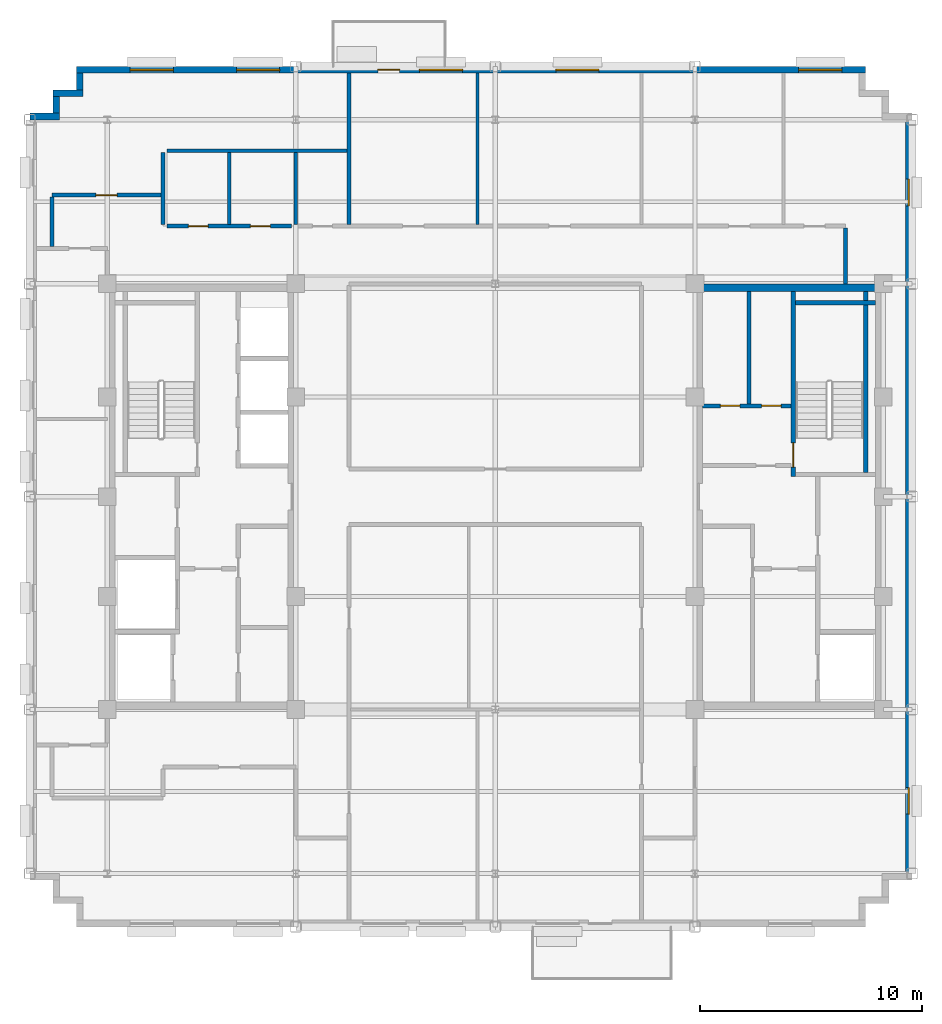
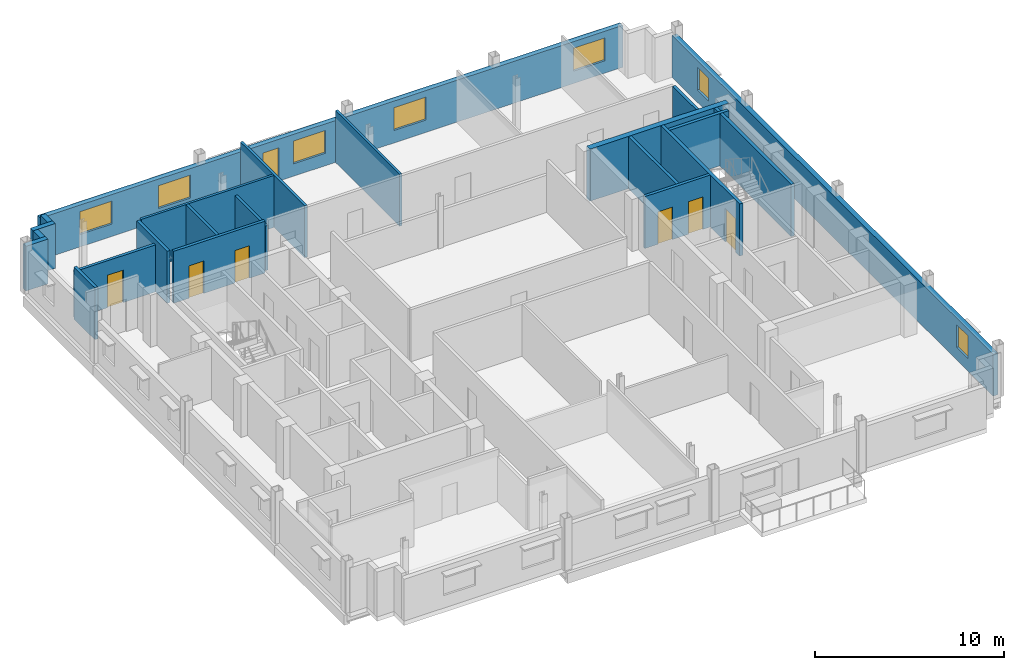
# One storey, part 8 of 13: 22 walls, 7 doors, 7 windows, 14 openings.
"""IFC4 building model written with IfcOpenShell, lengths in metres."""

from ifc_helpers import new_model, si_unit, direction, frame, frame_2d, origin, place, context, subcontext, project, spatial, rectangle, extrude, source, transform, mapped, material, layer, layer_set, type_object, type_shapes, element, fill, save


model = new_model("IFC4")

# Units and contexts
model_context = context("Model", 3, precision=1e-05, world=origin(), true_north=direction((0.0, 1.0)))
body_context = subcontext(model_context, "Body", "Model", "MODEL_VIEW")
ifc_project = project(units=[si_unit("LENGTHUNIT", "METRE"), si_unit("AREAUNIT", "SQUARE_METRE"), si_unit("VOLUMEUNIT", "CUBIC_METRE"), si_unit("PLANEANGLEUNIT", "RADIAN"), si_unit("MASSUNIT", "GRAM", prefix="KILO")], contexts=[model_context])

# Site, building, storey
site_placement = place(None, origin())
site = spatial("IfcSite", under=ifc_project, at=site_placement, CompositionType="ELEMENT")
building_placement = place(site_placement, origin())
building = spatial("IfcBuilding", under=site, at=building_placement, Name="Nuvemarco Arch Tower", CompositionType="ELEMENT")
storey_placement = place(building_placement, frame((0.0, 0.0, 265.25)))
storey = spatial("IfcBuildingStorey", under=building, at=storey_placement, Name="L70", CompositionType="ELEMENT", Elevation=265.25)

# Wall, openings, windows
ifc_material_1 = material(Name="Precast concrete C45/55", Category="concrete")
ifc_layer_1 = layer(ifc_material_1, 0.300048828125, Name="EW-HIGH-300")
ifc_layer_set_1 = layer_set([ifc_layer_1], Name="Precast concrete C45/55")
wall_type_1 = type_object("IfcWallType", Name="EW-HIGH-300", PredefinedType="STANDARD", material=ifc_layer_set_1)
wall_1_placement = place(storey_placement, frame((18.64990234375, -17.00390625, 0.0), z_axis=(0.0, 0.0, 1.0), x_axis=(0.0, 1.0, 0.0)))
wall_1 = element("IfcWall", 1, at=wall_1_placement, inside=storey, type_object=wall_type_1, Name="L70 exterior precast facade wall 6", PredefinedType="STANDARD", context=body_context, shape_type="SweptSolid", body=[
    extrude(rectangle(XDim=34.0078125, YDim=0.300048828125, at=frame_2d((17.00390625, 0.0))), origin(), (0.0, 0.0, 1.0), 2.705078125),
])
opening_1_placement = place(wall_1_placement, frame((2.686279296875, 0.0, 0.800048828125)))
opening_1 = element("IfcOpeningElement", 2, at=opening_1_placement, cuts=wall_1, Name="Opening WN-8", PredefinedType="OPENING", context=body_context, shape_type="SweptSolid", body=[
    extrude(rectangle(XDim=1.199951171875, YDim=1.47998046875, at=frame_2d((0.60009765625, 0.739990234375))), frame((0.0, 0.159912109375, 0.0), z_axis=(0.0, -1.0, 0.0), x_axis=(1.0, 0.0, 0.0)), (0.0, 0.0, 1.0), 0.320068359375),
])
opening_2_placement = place(wall_1_placement, frame((30.12158203125, 0.0, 0.800048828125)))
opening_2 = element("IfcOpeningElement", 3, at=opening_2_placement, cuts=wall_1, Name="Opening WN-8", PredefinedType="OPENING", context=body_context, shape_type="SweptSolid", body=[
    extrude(rectangle(XDim=1.199951171875, YDim=1.47998046875, at=frame_2d((0.60009765625, 0.739990234375))), frame((0.0, 0.159912109375, 0.0), z_axis=(0.0, -1.0, 0.0), x_axis=(1.0, 0.0, 0.0)), (0.0, 0.0, 1.0), 0.320068359375),
])
ifc_material_2 = material(Name="Insulated solar-control glass", Category="glass")
window_type_1 = type_object("IfcWindowType", Name="WN-HIGH-1200x1480", PartitioningType="SINGLE_PANEL", PredefinedType="WINDOW", material=ifc_material_2)
shared_shape_1 = source(origin(), body_context, "Body", "SweptSolid", [
    extrude(rectangle(XDim=1.199951171875, YDim=1.47998046875, at=frame_2d((0.60009765625, 0.739990234375))), frame((0.0, 0.030029296875, 0.0), z_axis=(0.0, -1.0, 0.0), x_axis=(1.0, 0.0, 0.0)), (0.0, 0.0, 1.0), 0.06005859375),
])
type_shapes(window_type_1, [shared_shape_1])
window_1_placement = place(opening_1_placement, origin())
window_1 = element("IfcWindow", 4, at=window_1_placement, inside=storey, type_object=window_type_1, Name="L70 punched facade window 1", OverallHeight=1.47998046875, OverallWidth=1.199951171875, PartitioningType="SINGLE_PANEL", PredefinedType="WINDOW", context=body_context, shape_type="MappedRepresentation", body=[
    mapped(shared_shape_1, transform((0.0, 0.0, 0.0), scale=1.0)),
])
fill(opening_1, window_1)
window_2_placement = place(opening_2_placement, origin())
window_2 = element("IfcWindow", 5, at=window_2_placement, inside=storey, type_object=window_type_1, Name="L70 punched facade window 7", OverallHeight=1.47998046875, OverallWidth=1.199951171875, PartitioningType="SINGLE_PANEL", PredefinedType="WINDOW", context=body_context, shape_type="MappedRepresentation", body=[
    mapped(shared_shape_1, transform((0.0, 0.0, 0.0), scale=1.0)),
])
fill(opening_2, window_2)

# Wall, openings, door, windows
wall_2_placement = place(storey_placement, frame((-18.89990234375, 19.25, 0.0), z_axis=(0.0, 0.0, 1.0), x_axis=(1.0, 0.0, 0.0)))
wall_2 = element("IfcWall", 6, at=wall_2_placement, inside=storey, type_object=wall_type_1, Name="L70 exterior precast facade wall 11", PredefinedType="STANDARD", context=body_context, shape_type="SweptSolid", body=[
    extrude(rectangle(XDim=35.599853515625, YDim=0.300048828125, at=frame_2d((17.7998046875, 0.0))), origin(), (0.0, 0.0, 1.0), 2.705078125),
])
opening_3_placement = place(wall_2_placement, frame((13.60009765625, 0.0, 0.0)))
opening_3 = element("IfcOpeningElement", 7, at=opening_3_placement, cuts=wall_2, Name="Opening ED-6", PredefinedType="OPENING", context=body_context, shape_type="SweptSolid", body=[
    extrude(rectangle(XDim=0.97998046875, YDim=2.14990234375, at=frame_2d((0.489990234375, 1.074951171875))), frame((0.0, 0.159912109375, 0.0), z_axis=(0.0, -1.0, 0.0), x_axis=(1.0, 0.0, 0.0)), (0.0, 0.0, 1.0), 0.320068359375),
])
opening_4_placement = place(wall_2_placement, frame((2.425048828125, 0.0, 0.800048828125)))
opening_4 = element("IfcOpeningElement", 8, at=opening_4_placement, cuts=wall_2, Name="Opening WN-7", PredefinedType="OPENING", context=body_context, shape_type="SweptSolid", body=[
    extrude(rectangle(XDim=1.949951171875, YDim=1.47998046875, at=frame_2d((0.97509765625, 0.739990234375))), frame((0.0, 0.159912109375, 0.0), z_axis=(0.0, -1.0, 0.0), x_axis=(1.0, 0.0, 0.0)), (0.0, 0.0, 1.0), 0.320068359375),
])
opening_5_placement = place(wall_2_placement, frame((7.22509765625, 0.0, 0.800048828125)))
opening_5 = element("IfcOpeningElement", 9, at=opening_5_placement, cuts=wall_2, Name="Opening WN-7", PredefinedType="OPENING", context=body_context, shape_type="SweptSolid", body=[
    extrude(rectangle(XDim=1.949951171875, YDim=1.47998046875, at=frame_2d((0.97509765625, 0.739990234375))), frame((0.0, 0.159912109375, 0.0), z_axis=(0.0, -1.0, 0.0), x_axis=(1.0, 0.0, 0.0)), (0.0, 0.0, 1.0), 0.320068359375),
])
opening_6_placement = place(wall_2_placement, frame((15.47509765625, 0.0, 0.800048828125)))
opening_6 = element("IfcOpeningElement", 10, at=opening_6_placement, cuts=wall_2, Name="Opening WN-7", PredefinedType="OPENING", context=body_context, shape_type="SweptSolid", body=[
    extrude(rectangle(XDim=1.949951171875, YDim=1.47998046875, at=frame_2d((0.97509765625, 0.739990234375))), frame((0.0, 0.159912109375, 0.0), z_axis=(0.0, -1.0, 0.0), x_axis=(1.0, 0.0, 0.0)), (0.0, 0.0, 1.0), 0.320068359375),
])
opening_7_placement = place(wall_2_placement, frame((21.625, 0.0, 0.800048828125)))
opening_7 = element("IfcOpeningElement", 11, at=opening_7_placement, cuts=wall_2, Name="Opening WN-7", PredefinedType="OPENING", context=body_context, shape_type="SweptSolid", body=[
    extrude(rectangle(XDim=1.949951171875, YDim=1.47998046875, at=frame_2d((0.97509765625, 0.739990234375))), frame((0.0, 0.159912109375, 0.0), z_axis=(0.0, -1.0, 0.0), x_axis=(1.0, 0.0, 0.0)), (0.0, 0.0, 1.0), 0.320068359375),
])
opening_8_placement = place(wall_2_placement, frame((32.574951171875, 0.0, 0.800048828125)))
opening_8 = element("IfcOpeningElement", 12, at=opening_8_placement, cuts=wall_2, Name="Opening WN-7", PredefinedType="OPENING", context=body_context, shape_type="SweptSolid", body=[
    extrude(rectangle(XDim=1.949951171875, YDim=1.47998046875, at=frame_2d((0.97509765625, 0.739990234375))), frame((0.0, 0.159912109375, 0.0), z_axis=(0.0, -1.0, 0.0), x_axis=(1.0, 0.0, 0.0)), (0.0, 0.0, 1.0), 0.320068359375),
])
ifc_material_3 = material(Name="Anodised bronze and laminated glass", Category="glass")
door_type_1 = type_object("IfcDoorType", Name="DR-EXT-BALC", OperationType="NOTDEFINED", PredefinedType="DOOR", material=ifc_material_3)
shared_shape_2 = source(origin(), body_context, "Body", "SweptSolid", [
    extrude(rectangle(XDim=0.97998046875, YDim=2.14990234375, at=frame_2d((0.489990234375, 1.074951171875))), frame((0.0, 0.02490234375, 0.0), z_axis=(0.0, -1.0, 0.0), x_axis=(1.0, 0.0, 0.0)), (0.0, 0.0, 1.0), 0.050048828125),
])
type_shapes(door_type_1, [shared_shape_2])
door_1_placement = place(opening_3_placement, origin())
door_1 = element("IfcDoor", 13, at=door_1_placement, inside=storey, type_object=door_type_1, Name="L70 tree balcony access door", OperationType="SINGLE_SWING_LEFT", OverallHeight=2.14990234375, OverallWidth=0.97998046875, PredefinedType="DOOR", context=body_context, shape_type="MappedRepresentation", body=[
    mapped(shared_shape_2, transform((0.0, 0.0, 0.0), scale=1.0)),
])
fill(opening_3, door_1)
window_type_2 = type_object("IfcWindowType", Name="WN-HIGH-1950x1480", PartitioningType="DOUBLE_PANEL_VERTICAL", PredefinedType="WINDOW", material=ifc_material_2)
shared_shape_3 = source(origin(), body_context, "Body", "SweptSolid", [
    extrude(rectangle(XDim=1.949951171875, YDim=1.47998046875, at=frame_2d((0.97509765625, 0.739990234375))), frame((0.0, 0.030029296875, 0.0), z_axis=(0.0, -1.0, 0.0), x_axis=(1.0, 0.0, 0.0)), (0.0, 0.0, 1.0), 0.06005859375),
])
type_shapes(window_type_2, [shared_shape_3])
window_3_placement = place(opening_4_placement, origin())
window_3 = element("IfcWindow", 14, at=window_3_placement, inside=storey, type_object=window_type_2, Name="L70 punched facade window 1", OverallHeight=1.47998046875, OverallWidth=1.949951171875, PartitioningType="SINGLE_PANEL", PredefinedType="WINDOW", context=body_context, shape_type="MappedRepresentation", body=[
    mapped(shared_shape_3, transform((0.0, 0.0, 0.0), scale=1.0)),
])
fill(opening_4, window_3)
window_4_placement = place(opening_5_placement, origin())
window_4 = element("IfcWindow", 15, at=window_4_placement, inside=storey, type_object=window_type_2, Name="L70 punched facade window 2", OverallHeight=1.47998046875, OverallWidth=1.949951171875, PartitioningType="SINGLE_PANEL", PredefinedType="WINDOW", context=body_context, shape_type="MappedRepresentation", body=[
    mapped(shared_shape_3, transform((0.0, 0.0, 0.0), scale=1.0)),
])
fill(opening_5, window_4)
window_5_placement = place(opening_6_placement, origin())
window_5 = element("IfcWindow", 16, at=window_5_placement, inside=storey, type_object=window_type_2, Name="L70 punched facade window 4", OverallHeight=1.47998046875, OverallWidth=1.949951171875, PartitioningType="SINGLE_PANEL", PredefinedType="WINDOW", context=body_context, shape_type="MappedRepresentation", body=[
    mapped(shared_shape_3, transform((0.0, 0.0, 0.0), scale=1.0)),
])
fill(opening_6, window_5)
window_6_placement = place(opening_7_placement, origin())
window_6 = element("IfcWindow", 17, at=window_6_placement, inside=storey, type_object=window_type_2, Name="L70 punched facade window 5", OverallHeight=1.47998046875, OverallWidth=1.949951171875, PartitioningType="SINGLE_PANEL", PredefinedType="WINDOW", context=body_context, shape_type="MappedRepresentation", body=[
    mapped(shared_shape_3, transform((0.0, 0.0, 0.0), scale=1.0)),
])
fill(opening_7, window_6)
window_7_placement = place(opening_8_placement, origin())
window_7 = element("IfcWindow", 18, at=window_7_placement, inside=storey, type_object=window_type_2, Name="L70 punched facade window 7", OverallHeight=1.47998046875, OverallWidth=1.949951171875, PartitioningType="SINGLE_PANEL", PredefinedType="WINDOW", context=body_context, shape_type="MappedRepresentation", body=[
    mapped(shared_shape_3, transform((0.0, 0.0, 0.0), scale=1.0)),
])
fill(opening_8, window_7)

# Walls
wall_3_placement = place(storey_placement, frame((-18.75, 18.345947265625, 0.0), z_axis=(0.0, 0.0, 1.0), x_axis=(0.0, 1.0, 0.0)))
element("IfcWall", 19, at=wall_3_placement, inside=storey, type_object=wall_type_1, Name="L70 exterior precast facade wall 12", PredefinedType="STANDARD", context=body_context, shape_type="SweptSolid", body=[
    extrude(rectangle(XDim=0.758056640625, YDim=0.300048828125, at=frame_2d((0.37890625, 0.0))), origin(), (0.0, 0.0, 1.0), 2.89208984375),
])
wall_4_placement = place(storey_placement, frame((-19.949951171875, 18.199951171875, 0.0), z_axis=(0.0, 0.0, 1.0), x_axis=(1.0, 0.0, 0.0)))
element("IfcWall", 20, at=wall_4_placement, inside=storey, type_object=wall_type_1, Name="L70 exterior precast facade wall 13", PredefinedType="STANDARD", context=body_context, shape_type="SweptSolid", body=[
    extrude(rectangle(XDim=1.349853515625, YDim=0.300048828125, at=frame_2d((0.6748046875, 0.0))), origin(), (0.0, 0.0, 1.0), 2.89208984375),
])
wall_5_placement = place(storey_placement, frame((-19.800048828125, 17.2958984375, 0.0), z_axis=(0.0, 0.0, 1.0), x_axis=(0.0, 1.0, 0.0)))
element("IfcWall", 21, at=wall_5_placement, inside=storey, type_object=wall_type_1, Name="L70 exterior precast facade wall 14", PredefinedType="STANDARD", context=body_context, shape_type="SweptSolid", body=[
    extrude(rectangle(XDim=0.758056640625, YDim=0.300048828125, at=frame_2d((0.37890625, 0.0))), origin(), (0.0, 0.0, 1.0), 2.89208984375),
])
wall_6_placement = place(storey_placement, frame((-21.0, 17.14990234375, 0.0), z_axis=(0.0, 0.0, 1.0), x_axis=(1.0, 0.0, 0.0)))
element("IfcWall", 22, at=wall_6_placement, inside=storey, type_object=wall_type_1, Name="L70 exterior precast facade wall 15", PredefinedType="STANDARD", context=body_context, shape_type="SweptSolid", body=[
    extrude(rectangle(XDim=1.35009765625, YDim=0.300048828125, at=frame_2d((0.675048828125, 0.0))), origin(), (0.0, 0.0, 1.0), 2.89208984375),
])
ifc_material_4 = material(Name="Concrete C50/60", Category="concrete")
ifc_layer_2 = layer(ifc_material_4, 0.35009765625, Name="WL-CORE-350")
ifc_layer_set_2 = layer_set([ifc_layer_2], Name="Concrete C50/60")
wall_type_2 = type_object("IfcWallType", Name="WL-CORE-350", PredefinedType="SHEAR", material=ifc_layer_set_2)
wall_7_placement = place(storey_placement, frame((9.0, 9.425048828125, 0.0), z_axis=(0.0, 0.0, 1.0), x_axis=(1.0, 0.0, 0.0)))
element("IfcWall", 23, at=wall_7_placement, inside=storey, type_object=wall_type_2, Name="L70 E-core shear wall N", PredefinedType="SHEAR", context=body_context, shape_type="SweptSolid", body=[
    extrude(rectangle(XDim=8.5, YDim=0.35009765625, at=frame_2d((4.25, 0.0))), origin(), (0.0, 0.0, 1.0), 3.3701171875),
])

# Wall, openings, doors
ifc_material_5 = material(Name="Fire-rated gypsum drywall partition")
ifc_layer_3 = layer(ifc_material_5, 0.179931640625, Name="WL-CORR-180")
ifc_layer_set_3 = layer_set([ifc_layer_3], Name="Fire-rated gypsum drywall partition")
wall_type_3 = type_object("IfcWallType", Name="WL-CORR-180", PredefinedType="PARTITIONING", material=ifc_layer_set_3)
wall_8_placement = place(storey_placement, frame((9.344970703125, 4.10009765625, 0.0), z_axis=(0.0, 0.0, 1.0), x_axis=(1.0, 0.0, 0.0)))
wall_8 = element("IfcWall", 24, at=wall_8_placement, inside=storey, type_object=wall_type_3, Name="L70 interior wall IW-L70-EK3H", PredefinedType="PARTITIONING", context=body_context, shape_type="SweptSolid", body=[
    extrude(rectangle(XDim=4.0, YDim=0.179931640625, at=frame_2d((2.0, 0.0))), origin(), (0.0, 0.0, 1.0), 3.360107421875),
])
opening_9_placement = place(wall_8_placement, frame((0.800048828125, 0.0, 0.0)))
opening_9 = element("IfcOpeningElement", 25, at=opening_9_placement, cuts=wall_8, Name="Opening FD-4", PredefinedType="OPENING", context=body_context, shape_type="SweptSolid", body=[
    extrude(rectangle(XDim=0.8798828125, YDim=2.10009765625, at=frame_2d((0.43994140625, 1.050048828125))), frame((0.0, 0.099853515625, 0.0), z_axis=(0.0, -1.0, 0.0), x_axis=(1.0, 0.0, 0.0)), (0.0, 0.0, 1.0), 0.199951171875),
])
opening_10_placement = place(wall_8_placement, frame((2.6650390625, 0.0, 0.0)))
opening_10 = element("IfcOpeningElement", 26, at=opening_10_placement, cuts=wall_8, Name="Opening FD-4", PredefinedType="OPENING", context=body_context, shape_type="SweptSolid", body=[
    extrude(rectangle(XDim=0.8798828125, YDim=2.10009765625, at=frame_2d((0.43994140625, 1.050048828125))), frame((0.0, 0.099853515625, 0.0), z_axis=(0.0, -1.0, 0.0), x_axis=(1.0, 0.0, 0.0)), (0.0, 0.0, 1.0), 0.199951171875),
])
ifc_material_6 = material(Name="Anodised steel fire door", Category="steel")
door_type_2 = type_object("IfcDoorType", Name="DR-RISER-FD", OperationType="NOTDEFINED", PredefinedType="DOOR", material=ifc_material_6)
shared_shape_4 = source(origin(), body_context, "Body", "SweptSolid", [
    extrude(rectangle(XDim=0.8798828125, YDim=2.10009765625, at=frame_2d((0.43994140625, 1.050048828125))), frame((0.0, 0.02490234375, 0.0), z_axis=(0.0, -1.0, 0.0), x_axis=(1.0, 0.0, 0.0)), (0.0, 0.0, 1.0), 0.050048828125),
])
type_shapes(door_type_2, [shared_shape_4])
door_2_placement = place(opening_9_placement, origin())
door_2 = element("IfcDoor", 27, at=door_2_placement, inside=storey, type_object=door_type_2, Name="L70 door FD-L70-EK3B", OperationType="SINGLE_SWING_RIGHT", OverallHeight=2.10009765625, OverallWidth=0.8798828125, PredefinedType="DOOR", context=body_context, shape_type="MappedRepresentation", body=[
    mapped(shared_shape_4, transform((0.0, 0.0, 0.0), scale=1.0)),
])
fill(opening_9, door_2)
door_3_placement = place(opening_10_placement, origin())
door_3 = element("IfcDoor", 28, at=door_3_placement, inside=storey, type_object=door_type_2, Name="L70 door FD-L70-EK3C", OperationType="SINGLE_SWING_LEFT", OverallHeight=2.10009765625, OverallWidth=0.8798828125, PredefinedType="DOOR", context=body_context, shape_type="MappedRepresentation", body=[
    mapped(shared_shape_4, transform((0.0, 0.0, 0.0), scale=1.0)),
])
fill(opening_10, door_3)

# Wall
wall_9_placement = place(storey_placement, frame((11.449951171875, 4.18994140625, 0.0), z_axis=(0.0, 0.0, 1.0), x_axis=(0.0, 1.0, 0.0)))
element("IfcWall", 29, at=wall_9_placement, inside=storey, type_object=wall_type_3, Name="L70 interior wall IW-L70-EK3V", PredefinedType="PARTITIONING", context=body_context, shape_type="SweptSolid", body=[
    extrude(rectangle(XDim=5.06494140625, YDim=0.179931640625, at=frame_2d((2.532470703125, 0.0))), origin(), (0.0, 0.0, 1.0), 3.360107421875),
])

# Wall, openings, doors
wall_10_placement = place(storey_placement, frame((-14.800048828125, 12.199951171875, 0.0), z_axis=(0.0, 0.0, 1.0), x_axis=(1.0, 0.0, 0.0)))
wall_10 = element("IfcWall", 30, at=wall_10_placement, inside=storey, type_object=wall_type_3, Name="L70 interior wall IW-L70-014", PredefinedType="PARTITIONING", context=body_context, shape_type="SweptSolid", body=[
    extrude(rectangle(XDim=5.60009765625, YDim=0.179931640625, at=frame_2d((2.800048828125, 0.0))), origin(), (0.0, 0.0, 1.0), 3.360107421875),
])
opening_11_placement = place(wall_10_placement, frame((0.949951171875, 0.0, 0.0)))
opening_11 = element("IfcOpeningElement", 31, at=opening_11_placement, cuts=wall_10, Name="Opening ID-3", PredefinedType="OPENING", context=body_context, shape_type="SweptSolid", body=[
    extrude(rectangle(XDim=0.89990234375, YDim=2.10009765625, at=frame_2d((0.449951171875, 1.050048828125))), frame((0.0, 0.099853515625, 0.0), z_axis=(0.0, -1.0, 0.0), x_axis=(1.0, 0.0, 0.0)), (0.0, 0.0, 1.0), 0.199951171875),
])
opening_12_placement = place(wall_10_placement, frame((3.75, 0.0, 0.0)))
opening_12 = element("IfcOpeningElement", 32, at=opening_12_placement, cuts=wall_10, Name="Opening ID-3", PredefinedType="OPENING", context=body_context, shape_type="SweptSolid", body=[
    extrude(rectangle(XDim=0.89990234375, YDim=2.10009765625, at=frame_2d((0.449951171875, 1.050048828125))), frame((0.0, 0.099853515625, 0.0), z_axis=(0.0, -1.0, 0.0), x_axis=(1.0, 0.0, 0.0)), (0.0, 0.0, 1.0), 0.199951171875),
])
ifc_material_7 = material(Name="Veneered oak timber fire door", Category="wood")
door_type_3 = type_object("IfcDoorType", Name="DR-WC-ACC", OperationType="NOTDEFINED", PredefinedType="DOOR", material=ifc_material_7)
shared_shape_5 = source(origin(), body_context, "Body", "SweptSolid", [
    extrude(rectangle(XDim=0.89990234375, YDim=2.10009765625, at=frame_2d((0.449951171875, 1.050048828125))), frame((0.0, 0.02490234375, 0.0), z_axis=(0.0, -1.0, 0.0), x_axis=(1.0, 0.0, 0.0)), (0.0, 0.0, 1.0), 0.050048828125),
])
type_shapes(door_type_3, [shared_shape_5])
door_4_placement = place(opening_11_placement, origin())
door_4 = element("IfcDoor", 33, at=door_4_placement, inside=storey, type_object=door_type_3, Name="L70 door DR-L70-WC_M", OperationType="SINGLE_SWING_LEFT", OverallHeight=2.10009765625, OverallWidth=0.89990234375, PredefinedType="DOOR", context=body_context, shape_type="MappedRepresentation", body=[
    mapped(shared_shape_5, transform((0.0, 0.0, 0.0), scale=1.0)),
])
fill(opening_11, door_4)
door_5_placement = place(opening_12_placement, origin())
door_5 = element("IfcDoor", 34, at=door_5_placement, inside=storey, type_object=door_type_3, Name="L70 door DR-L70-WC_F", OperationType="SINGLE_SWING_RIGHT", OverallHeight=2.10009765625, OverallWidth=0.89990234375, PredefinedType="DOOR", context=body_context, shape_type="MappedRepresentation", body=[
    mapped(shared_shape_5, transform((0.0, 0.0, 0.0), scale=1.0)),
])
fill(opening_12, door_5)

# Wall, opening, door
wall_11_placement = place(storey_placement, frame((-20.0, 13.60009765625, 0.0), z_axis=(0.0, 0.0, 1.0), x_axis=(1.0, 0.0, 0.0)))
wall_11 = element("IfcWall", 35, at=wall_11_placement, inside=storey, type_object=wall_type_3, Name="L70 interior wall IW-L70-016", PredefinedType="PARTITIONING", context=body_context, shape_type="SweptSolid", body=[
    extrude(rectangle(XDim=4.9140625, YDim=0.179931640625, at=frame_2d((2.45703125, 0.0))), origin(), (0.0, 0.0, 1.0), 3.0380859375),
])
opening_13_placement = place(wall_11_placement, frame((1.97705078125, 0.0, 0.0)))
opening_13 = element("IfcOpeningElement", 36, at=opening_13_placement, cuts=wall_11, Name="Opening FD-5", PredefinedType="OPENING", context=body_context, shape_type="SweptSolid", body=[
    extrude(rectangle(XDim=0.9599609375, YDim=2.10009765625, at=frame_2d((0.47998046875, 1.050048828125))), frame((0.0, 0.099853515625, 0.0), z_axis=(0.0, -1.0, 0.0), x_axis=(1.0, 0.0, 0.0)), (0.0, 0.0, 1.0), 0.199951171875),
])
ifc_material_8 = material(Name="Timber fire door", Category="wood")
door_type_4 = type_object("IfcDoorType", Name="DR-CORR-FD", OperationType="NOTDEFINED", PredefinedType="DOOR", material=ifc_material_8)
shared_shape_6 = source(origin(), body_context, "Body", "SweptSolid", [
    extrude(rectangle(XDim=0.9599609375, YDim=2.10009765625, at=frame_2d((0.47998046875, 1.050048828125))), frame((0.0, 0.02490234375, 0.0), z_axis=(0.0, -1.0, 0.0), x_axis=(1.0, 0.0, 0.0)), (0.0, 0.0, 1.0), 0.050048828125),
])
type_shapes(door_type_4, [shared_shape_6])
door_6_placement = place(opening_13_placement, origin())
door_6 = element("IfcDoor", 37, at=door_6_placement, inside=storey, type_object=door_type_4, Name="L70 door DR-L70-N_1", OperationType="SINGLE_SWING_RIGHT", OverallHeight=2.10009765625, OverallWidth=0.9599609375, PredefinedType="DOOR", context=body_context, shape_type="MappedRepresentation", body=[
    mapped(shared_shape_6, transform((0.0, 0.0, 0.0), scale=1.0)),
])
fill(opening_13, door_6)

# Walls
wall_12_placement = place(storey_placement, frame((-20.0, 11.285888671875, 0.0), z_axis=(0.0, 0.0, 1.0), x_axis=(0.0, 1.0, 0.0)))
element("IfcWall", 38, at=wall_12_placement, inside=storey, type_object=wall_type_3, Name="L70 interior wall IW-L70-019", PredefinedType="PARTITIONING", context=body_context, shape_type="SweptSolid", body=[
    extrude(rectangle(XDim=2.22802734375, YDim=0.179931640625, at=frame_2d((1.114013671875, 0.0))), origin(), (0.0, 0.0, 1.0), 3.360107421875),
])
wall_13_placement = place(storey_placement, frame((-15.0, 12.285888671875, 0.0), z_axis=(0.0, 0.0, 1.0), x_axis=(0.0, 1.0, 0.0)))
element("IfcWall", 39, at=wall_13_placement, inside=storey, type_object=wall_type_3, Name="L70 interior wall IW-L70-023", PredefinedType="PARTITIONING", context=body_context, shape_type="SweptSolid", body=[
    extrude(rectangle(XDim=3.2431640625, YDim=0.179931640625, at=frame_2d((1.62158203125, 0.0))), origin(), (0.0, 0.0, 1.0), 3.360107421875),
])
wall_14_placement = place(storey_placement, frame((15.800048828125, 9.60009765625, 0.0), z_axis=(0.0, 0.0, 1.0), x_axis=(0.0, 1.0, 0.0)))
element("IfcWall", 40, at=wall_14_placement, inside=storey, type_object=wall_type_3, Name="L70 interior wall IW-L70-038", PredefinedType="PARTITIONING", context=body_context, shape_type="SweptSolid", body=[
    extrude(rectangle(XDim=2.513916015625, YDim=0.179931640625, at=frame_2d((1.2568359375, 0.0))), origin(), (0.0, 0.0, 1.0), 3.360107421875),
])
ifc_material_9 = material(Name="Gypsum plasterboard partition")
ifc_layer_4 = layer(ifc_material_9, 0.139892578125, Name="WL-ROOM-140")
ifc_layer_set_4 = layer_set([ifc_layer_4], Name="Gypsum plasterboard partition")
wall_type_4 = type_object("IfcWallType", Name="WL-ROOM-140", PredefinedType="PARTITIONING", material=ifc_layer_set_4)
wall_15_placement = place(storey_placement, frame((-0.800048828125, 12.285888671875, 0.0), z_axis=(0.0, 0.0, 1.0), x_axis=(0.0, 1.0, 0.0)))
element("IfcWall", 41, at=wall_15_placement, inside=storey, type_object=wall_type_4, Name="L70 interior wall IW-L70-032", PredefinedType="PARTITIONING", context=body_context, shape_type="SweptSolid", body=[
    extrude(rectangle(XDim=6.814208984375, YDim=0.139892578125, at=frame_2d((3.4072265625, 0.0))), origin(), (0.0, 0.0, 1.0), 3.360107421875),
])

# Wall, opening, door
ifc_layer_5 = layer(ifc_material_4, 0.199951171875, Name="WL-SHAFT-220")
ifc_layer_set_5 = layer_set([ifc_layer_5], Name="Concrete C50/60")
wall_type_5 = type_object("IfcWallType", Name="WL-SHAFT-220", PredefinedType="SHEAR", material=ifc_layer_set_5)
wall_16_placement = place(storey_placement, frame((13.43994140625, 0.89990234375, 0.0), z_axis=(0.0, 0.0, 1.0), x_axis=(0.0, 1.0, 0.0)))
wall_16 = element("IfcWall", 42, at=wall_16_placement, inside=storey, type_object=wall_type_5, Name="L70 structural shaft wall SW-L70-E-ST2W", PredefinedType="SHEAR", context=body_context, shape_type="SweptSolid", body=[
    extrude(rectangle(XDim=8.35498046875, YDim=0.199951171875, at=frame_2d((4.177490234375, 0.0))), origin(), (0.0, 0.0, 1.0), 3.3701171875),
])
opening_14_placement = place(wall_16_placement, frame((0.429931640625, 0.0, 0.0)))
opening_14 = element("IfcOpeningElement", 43, at=opening_14_placement, cuts=wall_16, Name="Opening FD-1", PredefinedType="OPENING", context=body_context, shape_type="SweptSolid", body=[
    extrude(rectangle(XDim=1.10009765625, YDim=2.14990234375, at=frame_2d((0.550048828125, 1.074951171875))), frame((0.0, 0.10986328125, 0.0), z_axis=(0.0, -1.0, 0.0), x_axis=(1.0, 0.0, 0.0)), (0.0, 0.0, 1.0), 0.219970703125),
])
door_type_5 = type_object("IfcDoorType", Name="DR-STAIR-FD", OperationType="NOTDEFINED", PredefinedType="DOOR", material=ifc_material_6)
shared_shape_7 = source(origin(), body_context, "Body", "SweptSolid", [
    extrude(rectangle(XDim=1.10009765625, YDim=2.14990234375, at=frame_2d((0.550048828125, 1.074951171875))), frame((0.0, 0.02490234375, 0.0), z_axis=(0.0, -1.0, 0.0), x_axis=(1.0, 0.0, 0.0)), (0.0, 0.0, 1.0), 0.050048828125),
])
type_shapes(door_type_5, [shared_shape_7])
door_7_placement = place(opening_14_placement, origin())
door_7 = element("IfcDoor", 44, at=door_7_placement, inside=storey, type_object=door_type_5, Name="L70 door FD-L70-ST2", OperationType="SINGLE_SWING_LEFT", OverallHeight=2.14990234375, OverallWidth=1.10009765625, PredefinedType="DOOR", context=body_context, shape_type="MappedRepresentation", body=[
    mapped(shared_shape_7, transform((0.0, 0.0, 0.0), scale=1.0)),
])
fill(opening_14, door_7)

# Walls
wall_17_placement = place(storey_placement, frame((13.534912109375, 8.75, 0.0), z_axis=(0.0, 0.0, 1.0), x_axis=(1.0, 0.0, 0.0)))
element("IfcWall", 45, at=wall_17_placement, inside=storey, type_object=wall_type_5, Name="L70 structural shaft wall SW-L70-E-ST2N", PredefinedType="SHEAR", context=body_context, shape_type="SweptSolid", body=[
    extrude(rectangle(XDim=3.6201171875, YDim=0.199951171875, at=frame_2d((1.81005859375, 0.0))), origin(), (0.0, 0.0, 1.0), 3.3701171875),
])
wall_18_placement = place(storey_placement, frame((16.699951171875, 1.094970703125, 0.0), z_axis=(0.0, 0.0, 1.0), x_axis=(0.0, 1.0, 0.0)))
element("IfcWall", 46, at=wall_18_placement, inside=storey, type_object=wall_type_5, Name="L70 structural shaft wall SW-L70-E-ST2E", PredefinedType="SHEAR", context=body_context, shape_type="SweptSolid", body=[
    extrude(rectangle(XDim=8.159912109375, YDim=0.199951171875, at=frame_2d((4.080078125, 0.0))), origin(), (0.0, 0.0, 1.0), 3.3701171875),
])
ifc_material_10 = material(Name="Acoustic gypsum drywall partition")
ifc_layer_6 = layer(ifc_material_10, 0.159912109375, Name="WL-TENANT-160")
ifc_layer_set_6 = layer_set([ifc_layer_6], Name="Acoustic gypsum drywall partition")
wall_type_6 = type_object("IfcWallType", Name="WL-TENANT-160", PredefinedType="PARTITIONING", material=ifc_layer_set_6)
wall_19_placement = place(storey_placement, frame((-6.60009765625, 12.285888671875, 0.0), z_axis=(0.0, 0.0, 1.0), x_axis=(0.0, 1.0, 0.0)))
element("IfcWall", 47, at=wall_19_placement, inside=storey, type_object=wall_type_6, Name="L70 interior wall IW-L70-029", PredefinedType="PARTITIONING", context=body_context, shape_type="SweptSolid", body=[
    extrude(rectangle(XDim=6.814208984375, YDim=0.159912109375, at=frame_2d((3.4072265625, 0.0))), origin(), (0.0, 0.0, 1.0), 3.360107421875),
])
ifc_material_11 = material(Name="Moisture-resistant gypsum partition")
ifc_layer_7 = layer(ifc_material_11, 0.14990234375, Name="WL-WET-150")
ifc_layer_set_7 = layer_set([ifc_layer_7], Name="Moisture-resistant gypsum partition")
wall_type_7 = type_object("IfcWallType", Name="WL-WET-150", PredefinedType="PARTITIONING", material=ifc_layer_set_7)
wall_20_placement = place(storey_placement, frame((-14.800048828125, 15.60009765625, 0.0), z_axis=(0.0, 0.0, 1.0), x_axis=(1.0, 0.0, 0.0)))
element("IfcWall", 48, at=wall_20_placement, inside=storey, type_object=wall_type_7, Name="L70 interior wall IW-L70-017", PredefinedType="PARTITIONING", context=body_context, shape_type="SweptSolid", body=[
    extrude(rectangle(XDim=8.129150390625, YDim=0.14990234375, at=frame_2d((4.064453125, 0.0))), origin(), (0.0, 0.0, 1.0), 3.360107421875),
])
wall_21_placement = place(storey_placement, frame((-12.0, 12.285888671875, 0.0), z_axis=(0.0, 0.0, 1.0), x_axis=(0.0, 1.0, 0.0)))
element("IfcWall", 49, at=wall_21_placement, inside=storey, type_object=wall_type_7, Name="L70 interior wall IW-L70-024", PredefinedType="PARTITIONING", context=body_context, shape_type="SweptSolid", body=[
    extrude(rectangle(XDim=3.2431640625, YDim=0.14990234375, at=frame_2d((1.62158203125, 0.0))), origin(), (0.0, 0.0, 1.0), 3.360107421875),
])
wall_22_placement = place(storey_placement, frame((-9.0, 12.285888671875, 0.0), z_axis=(0.0, 0.0, 1.0), x_axis=(0.0, 1.0, 0.0)))
element("IfcWall", 50, at=wall_22_placement, inside=storey, type_object=wall_type_7, Name="L70 interior wall IW-L70-026", PredefinedType="PARTITIONING", context=body_context, shape_type="SweptSolid", body=[
    extrude(rectangle(XDim=3.2431640625, YDim=0.14990234375, at=frame_2d((1.62158203125, 0.0))), origin(), (0.0, 0.0, 1.0), 2.89208984375),
])

save(model, "model.ifc")
